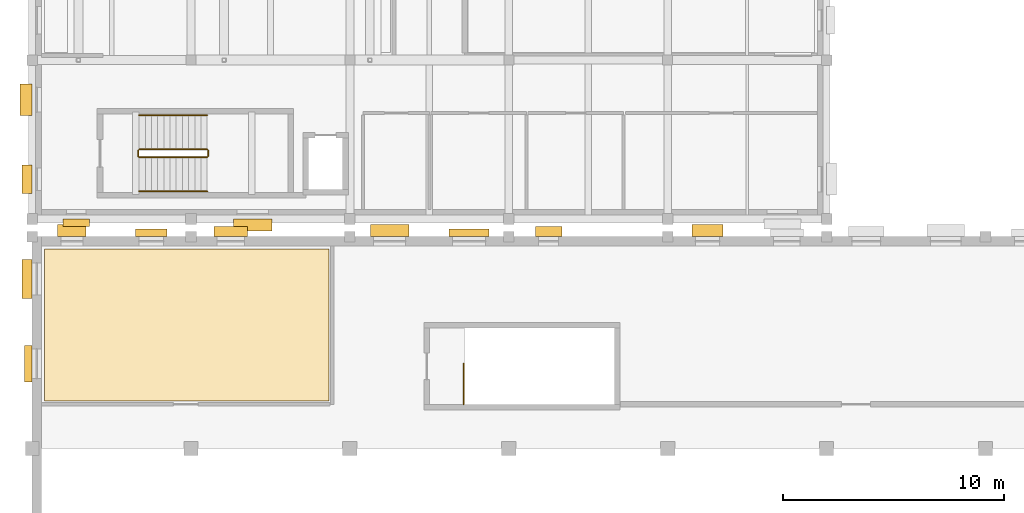
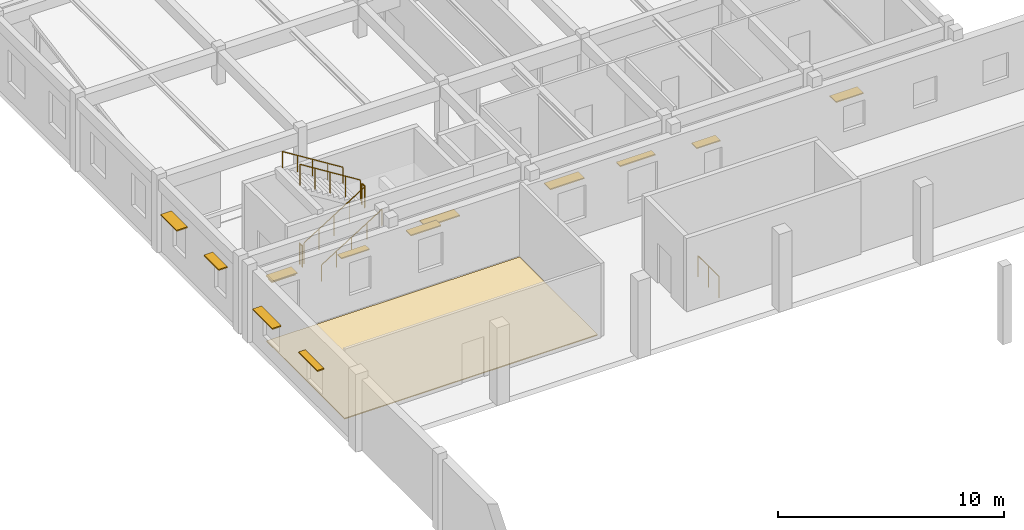
# One storey, part 41 of 49: 13 shading devices, 7 railings, 1 covering.
"""IFC4 building model written with IfcOpenShell, lengths in metres."""

from ifc_helpers import new_model, si_unit, direction, frame, origin, origin_2d, place, context, subcontext, project, spatial, polyline, rectangle, circle, outline, extrude, material, layer, layer_set, type_object, element, save


model = new_model("IFC4")

# Units and contexts
model_context = context("Model", 3, precision=1e-05, world=origin(), true_north=direction((0.0, 1.0)))
body_context = subcontext(model_context, "Body", "Model", "MODEL_VIEW")
ifc_project = project(units=[si_unit("LENGTHUNIT", "METRE"), si_unit("AREAUNIT", "SQUARE_METRE"), si_unit("VOLUMEUNIT", "CUBIC_METRE"), si_unit("PLANEANGLEUNIT", "RADIAN"), si_unit("MASSUNIT", "GRAM", prefix="KILO")], contexts=[model_context])

# Site, building, storey
site_placement = place(None, origin())
site = spatial("IfcSite", under=ifc_project, at=site_placement, CompositionType="ELEMENT")
building_placement = place(site_placement, origin())
building = spatial("IfcBuilding", under=site, at=building_placement, Name="Bramveld Media Centre", CompositionType="ELEMENT")
storey_placement = place(building_placement, frame((0.0, 0.0, 9.60009765625)))
storey = spatial("IfcBuildingStorey", under=building, at=storey_placement, Name="L02", CompositionType="ELEMENT", Elevation=9.60009765625)

# Covering
ifc_material_1 = material(Name="Honed Belgian bluestone (petit granit) public concourse flooring", Category="masonry")
ifc_layer = layer(ifc_material_1, 0.050048828125)
ifc_layer_set = layer_set([ifc_layer], Name="Honed Belgian bluestone (petit granit) public concourse flooring")
covering_type = type_object("IfcCoveringType", Name="COV-FLOOR-02", PredefinedType="FLOORING", material=ifc_layer_set)
covering_placement = place(storey_placement, origin())
element("IfcCovering", 1, at=covering_placement, inside=storey, type_object=covering_type, Name="Lighting Dimmer & Rigging Control Studio finish flooring", PredefinedType="FLOORING", context=body_context, shape_type="SweptSolid", body=[
    extrude(outline(polyline([(0.550048828125, 30.949951171875), (13.449951171875, 30.949951171875), (13.449951171875, 37.85009765625), (0.550048828125, 37.85009765625), (0.550048828125, 30.949951171875)])), origin(), (0.0, 0.0, 1.0), 0.0498046875),
])

# Railings
ifc_material_2 = material(Name="Painted galvanized steel stairwell guardrail", Category="steel")
railing_type_1 = type_object("IfcRailingType", Name="RAIL-STAIR-GUARD-1150", PredefinedType="GUARDRAIL", material=ifc_material_2)
railing_1_placement = place(storey_placement, frame((4.85009765625, 42.0, 0.1748046875)))
element("IfcRailing", 2, at=railing_1_placement, inside=storey, type_object=railing_type_1, Name="L02 ST-04 stair guard 1", PredefinedType="GUARDRAIL", context=body_context, shape_type="SweptSolid", body=[
    extrude(circle(Radius=0.02392578125, at=origin_2d()), frame((0.0, 0.0, 1.1259765625), z_axis=(0.847979421464, 0.0, 0.530029150871), x_axis=(0.0, 1.0, 0.0)), (0.0, 0.0, 1.0), 3.632080078125),
    extrude(circle(Radius=0.02099609375, at=origin_2d()), origin(), (0.0, 0.0, 1.0), 1.101806640625),
    extrude(circle(Radius=0.02099609375, at=origin_2d()), frame((0.77001953125, 0.0, 0.481201171875)), (0.0, 0.0, 1.0), 1.101806640625),
    extrude(circle(Radius=0.02099609375, at=origin_2d()), frame((1.5400390625, 0.0, 0.96240234375)), (0.0, 0.0, 1.0), 1.101806640625),
    extrude(circle(Radius=0.02099609375, at=origin_2d()), frame((2.309814453125, 0.0, 1.44384765625)), (0.0, 0.0, 1.0), 1.101806640625),
    extrude(circle(Radius=0.02099609375, at=origin_2d()), frame((3.079833984375, 0.0, 1.925048828125)), (0.0, 0.0, 1.0), 1.101806640625),
])
railing_2_placement = place(storey_placement, frame((7.97998046875, 42.050048828125, 2.099853515625)))
element("IfcRailing", 3, at=railing_2_placement, inside=storey, type_object=railing_type_1, Name="L02 ST-04 stair guard 2", PredefinedType="GUARDRAIL", context=body_context, shape_type="SweptSolid", body=[
    extrude(circle(Radius=0.02392578125, at=origin_2d()), frame((0.0, 0.0, 1.1259765625), z_axis=(0.0, 1.0, 0.0), x_axis=(-1.0, 0.0, 0.0)), (0.0, 0.0, 1.0), 0.25),
    extrude(circle(Radius=0.02099609375, at=origin_2d()), origin(), (0.0, 0.0, 1.0), 1.101806640625),
    extrude(circle(Radius=0.02099609375, at=origin_2d()), frame((0.0, 0.25, 0.0)), (0.0, 0.0, 1.0), 1.101806640625),
])
railing_3_placement = place(storey_placement, frame((7.929931640625, 42.35009765625, 2.27490234375)))
element("IfcRailing", 4, at=railing_3_placement, inside=storey, type_object=railing_type_1, Name="L02 ST-04 stair guard 3", PredefinedType="GUARDRAIL", context=body_context, shape_type="SweptSolid", body=[
    extrude(circle(Radius=0.02392578125, at=origin_2d()), frame((0.0, 0.0, 1.1259765625), z_axis=(-0.847979421464, 0.0, 0.530029150871), x_axis=(0.0, -1.0, 0.0)), (0.0, 0.0, 1.0), 3.632080078125),
    extrude(circle(Radius=0.02099609375, at=origin_2d()), origin(), (0.0, 0.0, 1.0), 1.101806640625),
    extrude(circle(Radius=0.02099609375, at=origin_2d()), frame((-0.77001953125, 0.0, 0.481201171875)), (0.0, 0.0, 1.0), 1.101806640625),
    extrude(circle(Radius=0.02099609375, at=origin_2d()), frame((-1.5400390625, 0.0, 0.96240234375)), (0.0, 0.0, 1.0), 1.101806640625),
    extrude(circle(Radius=0.02099609375, at=origin_2d()), frame((-2.309814453125, 0.0, 1.44384765625)), (0.0, 0.0, 1.0), 1.101806640625),
    extrude(circle(Radius=0.02099609375, at=origin_2d()), frame((-3.079833984375, 0.0, 1.925048828125)), (0.0, 0.0, 1.0), 1.101806640625),
])
railing_4_placement = place(storey_placement, frame((4.800048828125, 42.050048828125, 0.0)))
element("IfcRailing", 5, at=railing_4_placement, inside=storey, type_object=railing_type_1, Name="L02 ST-04 stair guard 4", PredefinedType="GUARDRAIL", context=body_context, shape_type="SweptSolid", body=[
    extrude(circle(Radius=0.02392578125, at=origin_2d()), frame((0.0, 0.0, 1.1259765625), z_axis=(0.0, 1.0, 0.0), x_axis=(-1.0, 0.0, 0.0)), (0.0, 0.0, 1.0), 0.25),
    extrude(circle(Radius=0.02099609375, at=origin_2d()), origin(), (0.0, 0.0, 1.0), 1.101806640625),
    extrude(circle(Radius=0.02099609375, at=origin_2d()), frame((0.0, 0.25, 0.0)), (0.0, 0.0, 1.0), 1.101806640625),
])
railing_5_placement = place(storey_placement, frame((19.550048828125, 30.800048828125, 0.0)))
element("IfcRailing", 6, at=railing_5_placement, inside=storey, type_object=railing_type_1, Name="L02 ST-05 top well guard 1", PredefinedType="GUARDRAIL", context=body_context, shape_type="SweptSolid", body=[
    extrude(circle(Radius=0.02392578125, at=origin_2d()), frame((0.0, 0.0, 1.1259765625), z_axis=(0.0, 1.0, 0.0), x_axis=(-1.0, 0.0, 0.0)), (0.0, 0.0, 1.0), 1.849853515625),
    extrude(circle(Radius=0.02099609375, at=origin_2d()), origin(), (0.0, 0.0, 1.0), 1.101806640625),
    extrude(circle(Radius=0.02099609375, at=origin_2d()), frame((0.0, 0.9248046875, 0.0)), (0.0, 0.0, 1.0), 1.101806640625),
    extrude(circle(Radius=0.02099609375, at=origin_2d()), frame((0.0, 1.849853515625, 0.0)), (0.0, 0.0, 1.0), 1.101806640625),
])
ifc_material_3 = material(Name="Brushed stainless steel tubular stair handrail", Category="steel")
railing_type_2 = type_object("IfcRailingType", Name="RAIL-STAIR-HAND-0920", PredefinedType="HANDRAIL", material=ifc_material_3)
railing_6_placement = place(storey_placement, frame((4.85009765625, 40.449951171875, 0.1748046875)))
element("IfcRailing", 7, at=railing_6_placement, inside=storey, type_object=railing_type_2, Name="L02 ST-04 stair handrail 1", PredefinedType="HANDRAIL", context=body_context, shape_type="SweptSolid", body=[
    extrude(circle(Radius=0.02392578125, at=origin_2d()), frame((0.0, 0.0, 0.8759765625), z_axis=(0.847979421464, 0.0, 0.530029150871), x_axis=(0.0, 1.0, 0.0)), (0.0, 0.0, 1.0), 3.632080078125),
    extrude(circle(Radius=0.02099609375, at=origin_2d()), origin(), (0.0, 0.0, 1.0), 0.851806640625),
    extrude(circle(Radius=0.02099609375, at=origin_2d()), frame((0.77001953125, 0.0, 0.481201171875)), (0.0, 0.0, 1.0), 0.851806640625),
    extrude(circle(Radius=0.02099609375, at=origin_2d()), frame((1.5400390625, 0.0, 0.96240234375)), (0.0, 0.0, 1.0), 0.851806640625),
    extrude(circle(Radius=0.02099609375, at=origin_2d()), frame((2.309814453125, 0.0, 1.44384765625)), (0.0, 0.0, 1.0), 0.851806640625),
    extrude(circle(Radius=0.02099609375, at=origin_2d()), frame((3.079833984375, 0.0, 1.925048828125)), (0.0, 0.0, 1.0), 0.851806640625),
])
railing_7_placement = place(storey_placement, frame((7.929931640625, 43.89990234375, 2.27490234375)))
element("IfcRailing", 8, at=railing_7_placement, inside=storey, type_object=railing_type_2, Name="L02 ST-04 stair handrail 2", PredefinedType="HANDRAIL", context=body_context, shape_type="SweptSolid", body=[
    extrude(circle(Radius=0.02392578125, at=origin_2d()), frame((0.0, 0.0, 0.8759765625), z_axis=(-0.847979421464, 0.0, 0.530029150871), x_axis=(0.0, -1.0, 0.0)), (0.0, 0.0, 1.0), 3.632080078125),
    extrude(circle(Radius=0.02099609375, at=origin_2d()), origin(), (0.0, 0.0, 1.0), 0.851806640625),
    extrude(circle(Radius=0.02099609375, at=origin_2d()), frame((-0.77001953125, 0.0, 0.481201171875)), (0.0, 0.0, 1.0), 0.851806640625),
    extrude(circle(Radius=0.02099609375, at=origin_2d()), frame((-1.5400390625, 0.0, 0.96240234375)), (0.0, 0.0, 1.0), 0.851806640625),
    extrude(circle(Radius=0.02099609375, at=origin_2d()), frame((-2.309814453125, 0.0, 1.44384765625)), (0.0, 0.0, 1.0), 0.851806640625),
    extrude(circle(Radius=0.02099609375, at=origin_2d()), frame((-3.079833984375, 0.0, 1.925048828125)), (0.0, 0.0, 1.0), 0.851806640625),
])

# Shading devices
ifc_material_4 = material(Name="Anodized bronze extruded aluminium solar shading fin", Category="aluminium")
shading_device_type_1 = type_object("IfcShadingDeviceType", Name="SHD-BRISE-350", PredefinedType="JALOUSIE", material=ifc_material_4)
shading_device_1_placement = place(storey_placement, frame((5.39990234375, 38.574951171875, 2.659912109375), z_axis=(0.0, 0.0, 1.0), x_axis=(1.0, 0.0, 0.0)))
element("IfcShadingDevice", 9, at=shading_device_1_placement, inside=storey, type_object=shading_device_type_1, Name="Bronze solar shading fin 84", PredefinedType="JALOUSIE", context=body_context, shape_type="SweptSolid", body=[
    extrude(rectangle(XDim=1.419921875, YDim=0.35009765625, at=origin_2d()), origin(), (0.0, 0.0, 1.0), 0.06005859375),
])
shading_device_2_placement = place(storey_placement, frame((19.800048828125, 38.574951171875, 2.659912109375), z_axis=(0.0, 0.0, 1.0), x_axis=(1.0, 0.0, 0.0)))
element("IfcShadingDevice", 10, at=shading_device_2_placement, inside=storey, type_object=shading_device_type_1, Name="Bronze solar shading fin 87", PredefinedType="JALOUSIE", context=body_context, shape_type="SweptSolid", body=[
    extrude(rectangle(XDim=1.800048828125, YDim=0.35009765625, at=origin_2d()), origin(), (0.0, 0.0, 1.0), 0.06005859375),
])
shading_device_3_placement = place(storey_placement, frame((-0.175048828125, 32.639892578125, 2.35986328125), z_axis=(0.0, 0.0, 1.0), x_axis=(1.0, 0.0, 0.0)))
element("IfcShadingDevice", 11, at=shading_device_3_placement, inside=storey, type_object=shading_device_type_1, Name="Bronze solar shading fin 96", PredefinedType="JALOUSIE", context=body_context, shape_type="SweptSolid", body=[
    extrude(rectangle(XDim=0.35009765625, YDim=1.64990234375, at=origin_2d()), origin(), (0.0, 0.0, 1.0), 0.06005859375),
])
shading_device_4_placement = place(storey_placement, frame((2.0, 39.02490234375, 2.259765625), z_axis=(0.0, 0.0, 1.0), x_axis=(1.0, 0.0, 0.0)))
element("IfcShadingDevice", 12, at=shading_device_4_placement, inside=storey, type_object=shading_device_type_1, Name="Bronze solar shading fin 126", PredefinedType="JALOUSIE", context=body_context, shape_type="SweptSolid", body=[
    extrude(rectangle(XDim=1.199951171875, YDim=0.35009765625, at=origin_2d()), origin(), (0.0, 0.0, 1.0), 0.06005859375),
])
ifc_material_5 = material(Name="Anodized bronze extruded aluminium solar shading fin", Category="aluminium")
shading_device_type_2 = type_object("IfcShadingDeviceType", Name="SHD-BRISE-450", PredefinedType="JALOUSIE", material=ifc_material_5)
shading_device_5_placement = place(storey_placement, frame((9.0, 38.625, 2.659912109375), z_axis=(0.0, 0.0, 1.0), x_axis=(1.0, 0.0, 0.0)))
element("IfcShadingDevice", 13, at=shading_device_5_placement, inside=storey, type_object=shading_device_type_2, Name="Bronze solar shading fin 85", PredefinedType="JALOUSIE", context=body_context, shape_type="SweptSolid", body=[
    extrude(rectangle(XDim=1.5400390625, YDim=0.449951171875, at=origin_2d()), origin(), (0.0, 0.0, 1.0), 0.06005859375),
])
shading_device_6_placement = place(storey_placement, frame((23.39990234375, 38.625, 2.259765625), z_axis=(0.0, 0.0, 1.0), x_axis=(1.0, 0.0, 0.0)))
element("IfcShadingDevice", 14, at=shading_device_6_placement, inside=storey, type_object=shading_device_type_2, Name="Bronze solar shading fin 88", PredefinedType="JALOUSIE", context=body_context, shape_type="SweptSolid", body=[
    extrude(rectangle(XDim=1.199951171875, YDim=0.449951171875, at=origin_2d()), origin(), (0.0, 0.0, 1.0), 0.06005859375),
])
shading_device_7_placement = place(storey_placement, frame((-0.22509765625, 36.47998046875, 2.35986328125), z_axis=(0.0, 0.0, 1.0), x_axis=(1.0, 0.0, 0.0)))
element("IfcShadingDevice", 15, at=shading_device_7_placement, inside=storey, type_object=shading_device_type_2, Name="Bronze solar shading fin 97", PredefinedType="JALOUSIE", context=body_context, shape_type="SweptSolid", body=[
    extrude(rectangle(XDim=0.449951171875, YDim=1.75, at=origin_2d()), origin(), (0.0, 0.0, 1.0), 0.06005859375),
])
shading_device_8_placement = place(storey_placement, frame((-0.22509765625, 41.0, 2.659912109375), z_axis=(0.0, 0.0, 1.0), x_axis=(1.0, 0.0, 0.0)))
element("IfcShadingDevice", 16, at=shading_device_8_placement, inside=storey, type_object=shading_device_type_2, Name="Bronze solar shading fin 139", PredefinedType="JALOUSIE", context=body_context, shape_type="SweptSolid", body=[
    extrude(rectangle(XDim=0.449951171875, YDim=1.300048828125, at=origin_2d()), origin(), (0.0, 0.0, 1.0), 0.06005859375),
])
ifc_material_6 = material(Name="Anodized bronze extruded aluminium solar shading fin", Category="aluminium")
shading_device_type_3 = type_object("IfcShadingDeviceType", Name="SHD-BRISE-550", PredefinedType="JALOUSIE", material=ifc_material_6)
shading_device_9_placement = place(storey_placement, frame((1.800048828125, 38.675048828125, 2.659912109375), z_axis=(0.0, 0.0, 1.0), x_axis=(1.0, 0.0, 0.0)))
element("IfcShadingDevice", 17, at=shading_device_9_placement, inside=storey, type_object=shading_device_type_3, Name="Bronze solar shading fin 83", PredefinedType="JALOUSIE", context=body_context, shape_type="SweptSolid", body=[
    extrude(rectangle(XDim=1.300048828125, YDim=0.550048828125, at=origin_2d()), origin(), (0.0, 0.0, 1.0), 0.06005859375),
])
shading_device_10_placement = place(storey_placement, frame((16.199951171875, 38.675048828125, 2.659912109375), z_axis=(0.0, 0.0, 1.0), x_axis=(1.0, 0.0, 0.0)))
element("IfcShadingDevice", 18, at=shading_device_10_placement, inside=storey, type_object=shading_device_type_3, Name="Bronze solar shading fin 86", PredefinedType="JALOUSIE", context=body_context, shape_type="SweptSolid", body=[
    extrude(rectangle(XDim=1.739990234375, YDim=0.550048828125, at=origin_2d()), origin(), (0.0, 0.0, 1.0), 0.06005859375),
])
shading_device_11_placement = place(storey_placement, frame((30.60009765625, 38.675048828125, 2.259765625), z_axis=(0.0, 0.0, 1.0), x_axis=(1.0, 0.0, 0.0)))
element("IfcShadingDevice", 19, at=shading_device_11_placement, inside=storey, type_object=shading_device_type_3, Name="Bronze solar shading fin 89", PredefinedType="JALOUSIE", context=body_context, shape_type="SweptSolid", body=[
    extrude(rectangle(XDim=1.39990234375, YDim=0.550048828125, at=origin_2d()), origin(), (0.0, 0.0, 1.0), 0.06005859375),
])
shading_device_12_placement = place(storey_placement, frame((10.0, 38.925048828125, 2.659912109375), z_axis=(0.0, 0.0, 1.0), x_axis=(1.0, 0.0, 0.0)))
element("IfcShadingDevice", 20, at=shading_device_12_placement, inside=storey, type_object=shading_device_type_3, Name="Bronze solar shading fin 125", PredefinedType="JALOUSIE", context=body_context, shape_type="SweptSolid", body=[
    extrude(rectangle(XDim=1.739990234375, YDim=0.550048828125, at=origin_2d()), origin(), (0.0, 0.0, 1.0), 0.06005859375),
])
shading_device_13_placement = place(storey_placement, frame((-0.27490234375, 44.60009765625, 2.659912109375), z_axis=(0.0, 0.0, 1.0), x_axis=(1.0, 0.0, 0.0)))
element("IfcShadingDevice", 21, at=shading_device_13_placement, inside=storey, type_object=shading_device_type_3, Name="Bronze solar shading fin 140", PredefinedType="JALOUSIE", context=body_context, shape_type="SweptSolid", body=[
    extrude(rectangle(XDim=0.550048828125, YDim=1.419921875, at=origin_2d()), origin(), (0.0, 0.0, 1.0), 0.06005859375),
])

save(model, "model.ifc")
